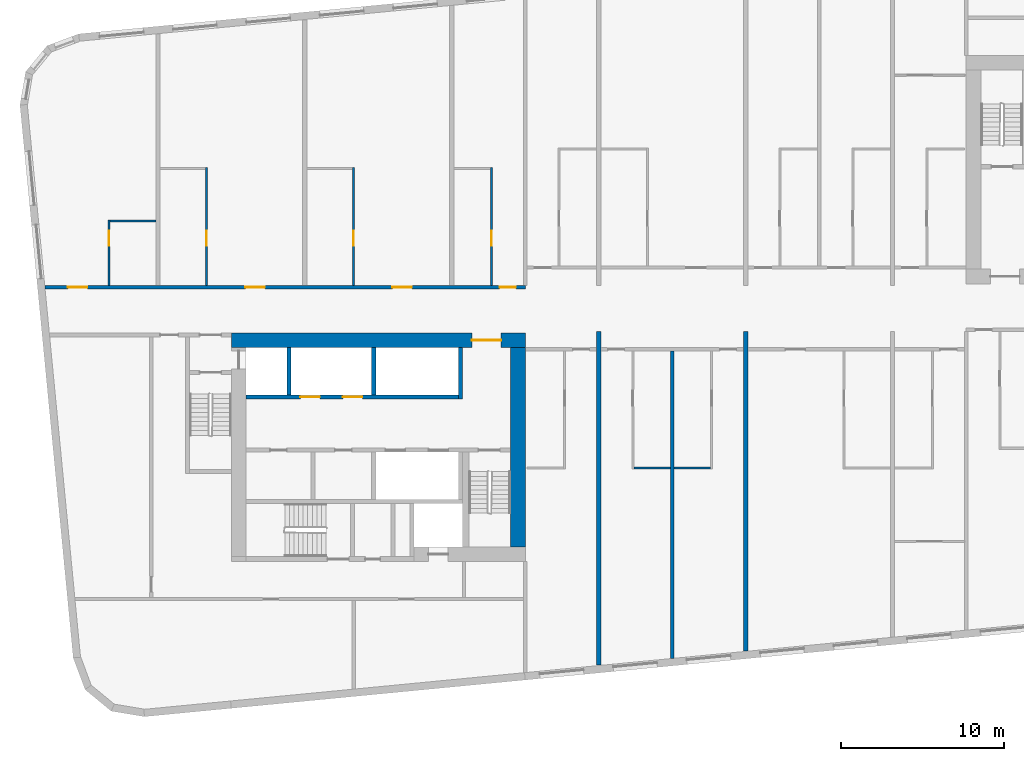
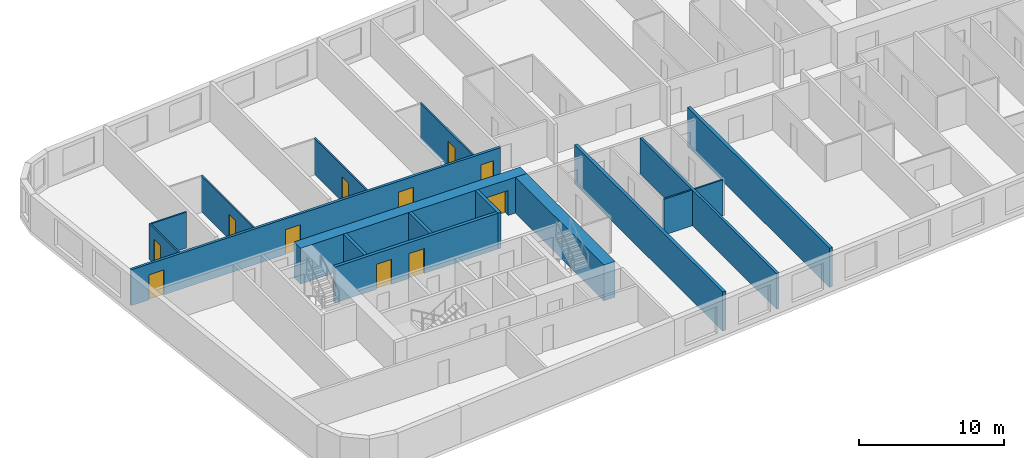
# One storey, part 3 of 12: 17 walls, 11 doors, 11 openings.
"""IFC4 building model written with IfcOpenShell, lengths in metres."""

import ifcopenshell
import ifcopenshell.guid

model = None  # the IFC model being written
_history = None  # IfcOwnerHistory: only IFC2X3 demands one
_inside = {}  # id of a spatial element -> (the spatial element, [elements in it])
_under = {}  # id of a project, library or spatial element -> (it, [spatial elements below it])
_declared = {}  # id of a project -> (the project, [libraries it declares])
_typed = {}  # id of a type object -> (the type object, [elements of that type])
_made_of = {}  # id of a material, layer set ... -> (it, [elements and type objects made of it])


def new_model(schema):
    """Start an empty IFC model of exactly this schema.

    Asked for "IFC4X3", IfcOpenShell would pick the latest addendum, in which some entities
    have other attributes; the version numbers below select the first issue.
    IFC2X3 requires an IfcOwnerHistory on every rooted entity: one is made here for all.
    """
    global model, _history
    if schema == "IFC4X3":
        model = ifcopenshell.file(schema_version=(4, 3, 0, 0))
    else:
        model = ifcopenshell.file(schema=schema)
    _inside.clear()
    _under.clear()
    _declared.clear()
    _typed.clear()
    _made_of.clear()
    _history = None
    if model.schema == "IFC2X3":
        org = make("IfcOrganization", Name="unknown")
        user = make(
            "IfcPersonAndOrganization",
            ThePerson=make("IfcPerson", FamilyName="unknown"),
            TheOrganization=org,
        )
        app = make(
            "IfcApplication",
            ApplicationDeveloper=org,
            Version="unknown",
            ApplicationFullName="unknown",
            ApplicationIdentifier="unknown",
        )
        _history = make(
            "IfcOwnerHistory",
            OwningUser=user,
            OwningApplication=app,
            ChangeAction="ADDED",
            CreationDate=0,
        )
    return model


def make(cls, **values):
    """One entity of the class cls with the attributes given. An attribute that is None is left unset."""
    return model.create_entity(
        cls, **{name: value for name, value in values.items() if value is not None}
    )


def rooted(cls, **values):
    """An entity with a GlobalId (a new one), such as an element, a storey or a relation."""
    return make(cls, GlobalId=ifcopenshell.guid.new(), OwnerHistory=_history, **values)


def si_unit(unit_type, name, prefix=None):
    """IfcSIUnit, for example si_unit("LENGTHUNIT", "METRE", prefix="MILLI")."""
    return make("IfcSIUnit", UnitType=unit_type, Prefix=prefix, Name=name)


def assignment(units):
    """IfcUnitAssignment: the units of a project."""
    return None if units is None else make("IfcUnitAssignment", Units=units)


def point(xyz):
    """IfcCartesianPoint."""
    return None if xyz is None else make("IfcCartesianPoint", Coordinates=xyz)


def direction(xyz):
    """IfcDirection."""
    return None if xyz is None else make("IfcDirection", DirectionRatios=xyz)


def frame(location, z_axis=None, x_axis=None):
    """IfcAxis2Placement3D, a coordinate frame: its origin and axes. An axis left out is left unset."""
    return make(
        "IfcAxis2Placement3D",
        Location=point(location),
        Axis=direction(z_axis),
        RefDirection=direction(x_axis),
    )


def frame_2d(location, x_axis=None):
    """IfcAxis2Placement2D, a coordinate frame in the plane: its origin and x axis."""
    return make(
        "IfcAxis2Placement2D", Location=point(location), RefDirection=direction(x_axis)
    )


def origin():
    """The frame at (0, 0, 0) with its axes left unset."""
    return frame((0.0, 0.0, 0.0))


def place(relative_to, where):
    """IfcLocalPlacement: puts the frame where relative to a parent placement (None: the world)."""
    return make(
        "IfcLocalPlacement", PlacementRelTo=relative_to, RelativePlacement=where
    )


def context(
    kind, dimensions, precision=None, world=None, true_north=None, identifier=None
):
    """IfcGeometricRepresentationContext, for example the 3D "Model" context."""
    return make(
        "IfcGeometricRepresentationContext",
        ContextIdentifier=identifier,
        ContextType=kind,
        CoordinateSpaceDimension=dimensions,
        Precision=precision,
        WorldCoordinateSystem=world,
        TrueNorth=true_north,
    )


def subcontext(parent, identifier, kind, view, scale=None):
    """IfcGeometricRepresentationSubContext, for example "Body" below "Model"."""
    return make(
        "IfcGeometricRepresentationSubContext",
        ContextIdentifier=identifier,
        ContextType=kind,
        ParentContext=parent,
        TargetScale=scale,
        TargetView=view,
    )


def project(units=None, contexts=None):
    """IfcProject with its units and contexts."""
    return rooted(
        "IfcProject",
        Name="project",
        RepresentationContexts=contexts,
        UnitsInContext=assignment(units),
    )


def spatial(cls, under=None, at=None, **own):
    """A site, building, storey or space (cls), placed at a placement, below another one or the project."""
    s = rooted(cls, ObjectPlacement=at, **own)
    if under is not None:
        _under.setdefault(under.id(), (under, []))[1].append(s)
    return s


def profile(cls, at=None, kind="AREA", **sizes):
    """A parametric profile (cls). Its sizes go by their IFC names, for example OverallWidth=200.0."""
    return make(cls, ProfileType=kind, Position=at, **sizes)


def rectangle(**sizes):
    """IfcRectangleProfileDef."""
    return profile("IfcRectangleProfileDef", **sizes)


def extrude(swept, where, along, depth):
    """IfcExtrudedAreaSolid: the profile swept, set in the frame where, extruded along a direction by depth."""
    return make(
        "IfcExtrudedAreaSolid",
        SweptArea=swept,
        Position=where,
        ExtrudedDirection=direction(along),
        Depth=depth,
    )


def shape(context_of_items, identifier, shape_type, items):
    """IfcShapeRepresentation: the items that make up one representation, for example the "Body"."""
    return make(
        "IfcShapeRepresentation",
        ContextOfItems=context_of_items,
        RepresentationIdentifier=identifier,
        RepresentationType=shape_type,
        Items=items,
    )


def material(Name=None, Category=None):
    """IfcMaterial."""
    return make("IfcMaterial", Name=Name, Category=Category)


def layer(
    of_material, thickness, ventilated=None, Name=None, Category=None, Priority=None
):
    """IfcMaterialLayer: one layer of a wall or slab, of a material (None: an air gap)."""
    return make(
        "IfcMaterialLayer",
        Material=of_material,
        LayerThickness=thickness,
        IsVentilated=ventilated,
        Name=Name,
        Category=Category,
        Priority=Priority,
    )


def layer_set(layers, Name=None):
    """IfcMaterialLayerSet."""
    return make("IfcMaterialLayerSet", MaterialLayers=layers, LayerSetName=Name)


def made_of(thing, what):
    """Note that an element or type object is made of a material, layer set ...; save() writes the relation."""
    if what is not None:
        _made_of.setdefault(what.id(), (what, []))[1].append(thing)
    return thing


def type_object(cls, material=None, **own):
    """A type object (cls), such as IfcWallType, which elements share."""
    return made_of(rooted(cls, **own), material)


def element(
    cls,
    number,
    at=None,
    inside=None,
    cuts=None,
    type_object=None,
    material=None,
    context=None,
    identifier="Body",
    shape_type=None,
    held_by="IfcProductDefinitionShape",
    body=None,
    shapes=None,
    **own,
):
    """One element of the class cls, such as IfcWall. Its Tag is "e" and its number.

    at: its placement. inside: the storey or other place that contains it. cuts: it is an
    opening in that element (IfcRelVoidsElement). A single representation is given by context,
    identifier, shape_type and body (its items); several are given by shapes. held_by: the class
    of the entity that holds the representations. save() writes the other relations.
    """
    e = rooted(cls, Tag="e%d" % number, ObjectPlacement=at, **own)
    if body is not None:
        shapes = [shape(context, identifier, shape_type, body)]
    if shapes is not None:
        e.Representation = make(held_by, Representations=shapes)
    if inside is not None:
        _inside.setdefault(inside.id(), (inside, []))[1].append(e)
    if cuts is not None:
        rooted(
            "IfcRelVoidsElement", RelatingBuildingElement=cuts, RelatedOpeningElement=e
        )
    if type_object is not None:
        _typed.setdefault(type_object.id(), (type_object, []))[1].append(e)
    return made_of(e, material)


def fill(opening, filler):
    """IfcRelFillsElement: the door or window that sits in an opening."""
    return rooted(
        "IfcRelFillsElement",
        RelatingOpeningElement=opening,
        RelatedBuildingElement=filler,
    )


def aggregate(whole, parts):
    """IfcRelAggregates: a whole, such as a stair, and the parts it consists of."""
    return rooted("IfcRelAggregates", RelatingObject=whole, RelatedObjects=parts)


def save(model, path):
    """Write the relations noted so far, then the file.

    IfcRelAggregates (storeys below a building ...), IfcRelContainedInSpatialStructure (elements
    in a storey), IfcRelDefinesByType, IfcRelAssociatesMaterial and IfcRelDeclares: one each for
    every whole, place, type object, material and project.
    """
    for whole, parts in _under.values():
        aggregate(whole, parts)
    for where, things in _inside.values():
        rooted(
            "IfcRelContainedInSpatialStructure",
            RelatedElements=things,
            RelatingStructure=where,
        )
    for kind, things in _typed.values():
        rooted("IfcRelDefinesByType", RelatedObjects=things, RelatingType=kind)
    for what, things in _made_of.values():
        rooted("IfcRelAssociatesMaterial", RelatedObjects=things, RelatingMaterial=what)
    for by, libraries in _declared.values():
        rooted("IfcRelDeclares", RelatingContext=by, RelatedDefinitions=libraries)
    model.write(path)


model = new_model("IFC4")

# Units and contexts
model_context = context("Model", 3, precision=1e-05, world=origin(), true_north=direction((0.0, 1.0)))
body_context = subcontext(model_context, "Body", "Model", "MODEL_VIEW")
ifc_project = project(units=[si_unit("LENGTHUNIT", "METRE"), si_unit("AREAUNIT", "SQUARE_METRE"), si_unit("VOLUMEUNIT", "CUBIC_METRE"), si_unit("PLANEANGLEUNIT", "RADIAN"), si_unit("MASSUNIT", "GRAM", prefix="KILO")], contexts=[model_context])

# Site, building, storey
site_placement = place(None, origin())
site = spatial("IfcSite", under=ifc_project, at=site_placement, CompositionType="ELEMENT")
building_placement = place(site_placement, origin())
building = spatial("IfcBuilding", under=site, at=building_placement, Name="Kajstack Hotel Tower", CompositionType="ELEMENT")
storey_placement = place(building_placement, frame((0.0, 0.0, 193.300048828125)))
storey = spatial("IfcBuildingStorey", under=building, at=storey_placement, Name="L46", CompositionType="ELEMENT", Elevation=193.300048828125)

# Wall, opening, door
ifc_material_1 = material(Name="Concrete C60/75", Category="concrete")
ifc_layer_1 = layer(ifc_material_1, 0.89990234375)
ifc_layer_set_1 = layer_set([ifc_layer_1], Name="Core wall 900")
wall_type_1 = type_object("IfcWallType", Name="Core wall 900", PredefinedType="SHEAR", material=ifc_layer_set_1)
wall_1_placement = place(storey_placement, frame((-31.5, -1.949951171875, 0.0), z_axis=(0.0, 0.0, 1.0), x_axis=(1.0, 0.0, 0.0)))
wall_1 = element("IfcWall", 1, at=wall_1_placement, inside=storey, type_object=wall_type_1, Name="Core wall W RN", PredefinedType="SHEAR", context=body_context, shape_type="SweptSolid", body=[
    extrude(rectangle(XDim=18.0, YDim=0.89990234375, at=frame_2d((9.0, 0.0))), origin(), (0.0, 0.0, 1.0), 3.02001953125),
])
opening_1_placement = place(wall_1_placement, frame((14.72509765625, 0.0, 0.0)))
opening_1 = element("IfcOpeningElement", 2, at=opening_1_placement, cuts=wall_1, Name="Opening 46W07", PredefinedType="OPENING", context=body_context, shape_type="SweptSolid", body=[
    extrude(rectangle(XDim=1.800048828125, YDim=2.10009765625, at=frame_2d((0.89990234375, 1.050048828125))), frame((0.0, 0.4599609375, 0.0), z_axis=(0.0, -1.0, 0.0), x_axis=(1.0, 0.0, 0.0)), (0.0, 0.0, 1.0), 0.919921875),
])
ifc_material_2 = material(Name="Glazed steel frame, fire-rated glass", Category="steel")
door_type_1 = type_object("IfcDoorType", Name="Lobby double door 1800", OperationType="DOUBLE_DOOR_DOUBLE_SWING", PredefinedType="DOOR", material=ifc_material_2)
door_1_placement = place(opening_1_placement, origin())
door_1 = element("IfcDoor", 3, at=door_1_placement, inside=storey, type_object=door_type_1, Name="Door 46W07", OperationType="DOUBLE_DOOR_DOUBLE_SWING", OverallHeight=2.10009765625, OverallWidth=1.800048828125, PredefinedType="DOOR", context=body_context, shape_type="SweptSolid", body=[
    extrude(rectangle(XDim=1.800048828125, YDim=2.10009765625, at=frame_2d((0.89990234375, 1.050048828125))), frame((0.0, 0.02490234375, 0.0), z_axis=(0.0, -1.0, 0.0), x_axis=(1.0, 0.0, 0.0)), (0.0, 0.0, 1.0), 0.050048828125),
])
fill(opening_1, door_1)

# Wall
wall_2_placement = place(storey_placement, frame((-13.949951171875, -14.60009765625, 0.0), z_axis=(0.0, 0.0, 1.0), x_axis=(0.0, 1.0, 0.0)))
element("IfcWall", 4, at=wall_2_placement, inside=storey, type_object=wall_type_1, Name="Core wall W RE", PredefinedType="SHEAR", context=body_context, shape_type="SweptSolid", body=[
    extrude(rectangle(XDim=12.2001953125, YDim=0.89990234375, at=frame_2d((6.10009765625, 0.0))), origin(), (0.0, 0.0, 1.0), 3.02001953125),
])

# Wall, openings, doors
ifc_material_3 = material(Name="Gypsum board on steel studs, mineral wool", Category="steel")
ifc_layer_2 = layer(ifc_material_3, 0.199951171875)
ifc_layer_set_2 = layer_set([ifc_layer_2], Name="Corridor wall 200")
wall_type_2 = type_object("IfcWallType", Name="Corridor wall 200", PredefinedType="PARTITIONING", material=ifc_layer_set_2)
wall_3_placement = place(storey_placement, frame((-42.9130859375, 1.300048828125, 0.0), z_axis=(0.0, 0.0, 1.0), x_axis=(1.0, 0.0, 0.0)))
wall_3 = element("IfcWall", 5, at=wall_3_placement, inside=storey, type_object=wall_type_2, Name="G-wall-L46-003", PredefinedType="PARTITIONING", context=body_context, shape_type="SweptSolid", body=[
    extrude(rectangle(XDim=29.4130859375, YDim=0.199951171875, at=frame_2d((14.70654296875, 0.0))), origin(), (0.0, 0.0, 1.0), 3.02001953125),
])
opening_2_placement = place(wall_3_placement, frame((1.406005859375, 0.0, 0.0)))
opening_2 = element("IfcOpeningElement", 6, at=opening_2_placement, cuts=wall_3, Name="Opening 46001", PredefinedType="OPENING", context=body_context, shape_type="SweptSolid", body=[
    extrude(rectangle(XDim=1.199951171875, YDim=2.10009765625, at=frame_2d((0.60009765625, 1.050048828125))), frame((0.0, 0.10986328125, 0.0), z_axis=(0.0, -1.0, 0.0), x_axis=(1.0, 0.0, 0.0)), (0.0, 0.0, 1.0), 0.219970703125),
])
opening_3_placement = place(wall_3_placement, frame((12.27490234375, 0.0, 0.0)))
opening_3 = element("IfcOpeningElement", 7, at=opening_3_placement, cuts=wall_3, Name="Opening 46003", PredefinedType="OPENING", context=body_context, shape_type="SweptSolid", body=[
    extrude(rectangle(XDim=1.199951171875, YDim=2.10009765625, at=frame_2d((0.60009765625, 1.050048828125))), frame((0.0, 0.10986328125, 0.0), z_axis=(0.0, -1.0, 0.0), x_axis=(1.0, 0.0, 0.0)), (0.0, 0.0, 1.0), 0.219970703125),
])
opening_4_placement = place(wall_3_placement, frame((21.27490234375, 0.0, 0.0)))
opening_4 = element("IfcOpeningElement", 8, at=opening_4_placement, cuts=wall_3, Name="Opening 46005", PredefinedType="OPENING", context=body_context, shape_type="SweptSolid", body=[
    extrude(rectangle(XDim=1.199951171875, YDim=2.10009765625, at=frame_2d((0.60009765625, 1.050048828125))), frame((0.0, 0.10986328125, 0.0), z_axis=(0.0, -1.0, 0.0), x_axis=(1.0, 0.0, 0.0)), (0.0, 0.0, 1.0), 0.219970703125),
])
opening_5_placement = place(wall_3_placement, frame((27.837890625, 0.0, 0.0)))
opening_5 = element("IfcOpeningElement", 9, at=opening_5_placement, cuts=wall_3, Name="Opening 46007", PredefinedType="OPENING", context=body_context, shape_type="SweptSolid", body=[
    extrude(rectangle(XDim=1.0, YDim=2.10009765625, at=frame_2d((0.5, 1.050048828125))), frame((0.0, 0.10986328125, 0.0), z_axis=(0.0, -1.0, 0.0), x_axis=(1.0, 0.0, 0.0)), (0.0, 0.0, 1.0), 0.219970703125),
])
ifc_material_4 = material(Name="Oak veneer on timber core, fire-rated leaf", Category="wood")
door_type_2 = type_object("IfcDoorType", Name="Flat entrance door 1000", OperationType="SINGLE_SWING_LEFT", PredefinedType="DOOR", material=ifc_material_4)
door_2_placement = place(opening_5_placement, origin())
door_2 = element("IfcDoor", 10, at=door_2_placement, inside=storey, type_object=door_type_2, Name="G-door-L46-07", OperationType="SINGLE_SWING_RIGHT", OverallHeight=2.10009765625, OverallWidth=1.0, PredefinedType="DOOR", context=body_context, shape_type="SweptSolid", body=[
    extrude(rectangle(XDim=1.0, YDim=2.10009765625, at=frame_2d((0.5, 1.050048828125))), frame((0.0, 0.02490234375, 0.0), z_axis=(0.0, -1.0, 0.0), x_axis=(1.0, 0.0, 0.0)), (0.0, 0.0, 1.0), 0.050048828125),
])
fill(opening_5, door_2)
door_type_3 = type_object("IfcDoorType", Name="Flat entrance door 1200", OperationType="SINGLE_SWING_LEFT", PredefinedType="DOOR", material=ifc_material_4)
door_3_placement = place(opening_2_placement, origin())
door_3 = element("IfcDoor", 11, at=door_3_placement, inside=storey, type_object=door_type_3, Name="G-door-L46-01", OperationType="SINGLE_SWING_LEFT", OverallHeight=2.10009765625, OverallWidth=1.199951171875, PredefinedType="DOOR", context=body_context, shape_type="SweptSolid", body=[
    extrude(rectangle(XDim=1.199951171875, YDim=2.10009765625, at=frame_2d((0.60009765625, 1.050048828125))), frame((0.0, 0.02490234375, 0.0), z_axis=(0.0, -1.0, 0.0), x_axis=(1.0, 0.0, 0.0)), (0.0, 0.0, 1.0), 0.050048828125),
])
fill(opening_2, door_3)
door_4_placement = place(opening_3_placement, origin())
door_4 = element("IfcDoor", 12, at=door_4_placement, inside=storey, type_object=door_type_3, Name="G-door-L46-03", OperationType="SINGLE_SWING_LEFT", OverallHeight=2.10009765625, OverallWidth=1.199951171875, PredefinedType="DOOR", context=body_context, shape_type="SweptSolid", body=[
    extrude(rectangle(XDim=1.199951171875, YDim=2.10009765625, at=frame_2d((0.60009765625, 1.050048828125))), frame((0.0, 0.02490234375, 0.0), z_axis=(0.0, -1.0, 0.0), x_axis=(1.0, 0.0, 0.0)), (0.0, 0.0, 1.0), 0.050048828125),
])
fill(opening_3, door_4)
door_5_placement = place(opening_4_placement, origin())
door_5 = element("IfcDoor", 13, at=door_5_placement, inside=storey, type_object=door_type_3, Name="G-door-L46-05", OperationType="SINGLE_SWING_LEFT", OverallHeight=2.10009765625, OverallWidth=1.199951171875, PredefinedType="DOOR", context=body_context, shape_type="SweptSolid", body=[
    extrude(rectangle(XDim=1.199951171875, YDim=2.10009765625, at=frame_2d((0.60009765625, 1.050048828125))), frame((0.0, 0.02490234375, 0.0), z_axis=(0.0, -1.0, 0.0), x_axis=(1.0, 0.0, 0.0)), (0.0, 0.0, 1.0), 0.050048828125),
])
fill(opening_4, door_5)

# Wall
ifc_material_5 = material(Name="Twin-frame gypsum board on steel studs, mineral wool", Category="steel")
ifc_layer_3 = layer(ifc_material_5, 0.199951171875)
ifc_layer_set_3 = layer_set([ifc_layer_3], Name="Demising wall 200")
wall_type_3 = type_object("IfcWallType", Name="Demising wall 200", PredefinedType="PARTITIONING", material=ifc_layer_set_3)
wall_4_placement = place(storey_placement, frame((-4.5, -21.43408203125, 0.0), z_axis=(0.0, 0.0, 1.0), x_axis=(0.0, 1.0, 0.0)))
element("IfcWall", 14, at=wall_4_placement, inside=storey, type_object=wall_type_3, Name="G-wall-L46-030", PredefinedType="PARTITIONING", context=body_context, shape_type="SweptSolid", body=[
    extrude(rectangle(XDim=18.833984375, YDim=0.199951171875, at=frame_2d((9.4169921875, 0.0))), origin(), (0.0, 0.0, 1.0), 3.02001953125),
])

# Wall, opening, door
ifc_material_6 = material(Name="Gypsum board and tiled backer on steel studs", Category="steel")
ifc_layer_4 = layer(ifc_material_6, 0.125)
ifc_layer_set_4 = layer_set([ifc_layer_4], Name="En-suite wall 125")
wall_type_4 = type_object("IfcWallType", Name="En-suite wall 125", PredefinedType="PARTITIONING", material=ifc_layer_set_4)
wall_5_placement = place(storey_placement, frame((-38.987060546875, 1.39990234375, 0.0), z_axis=(0.0, 0.0, 1.0), x_axis=(0.0, 1.0, 0.0)))
wall_5 = element("IfcWall", 15, at=wall_5_placement, inside=storey, type_object=wall_type_4, Name="G-wall-L46-005", PredefinedType="PARTITIONING", context=body_context, shape_type="SweptSolid", body=[
    extrude(rectangle(XDim=4.028076171875, YDim=0.125, at=frame_2d((2.01416015625, 0.0))), origin(), (0.0, 0.0, 1.0), 3.02001953125),
])
opening_6_placement = place(wall_5_placement, frame((2.449951171875, 0.0, 0.0)))
opening_6 = element("IfcOpeningElement", 16, at=opening_6_placement, cuts=wall_5, Name="Opening 46002", PredefinedType="OPENING", context=body_context, shape_type="SweptSolid", body=[
    extrude(rectangle(XDim=0.89990234375, YDim=2.10009765625, at=frame_2d((0.449951171875, 1.050048828125))), frame((0.0, 0.072509765625, 0.0), z_axis=(0.0, -1.0, 0.0), x_axis=(1.0, 0.0, 0.0)), (0.0, 0.0, 1.0), 0.14501953125),
])
ifc_material_7 = material(Name="Painted timber door leaf", Category="wood")
door_type_4 = type_object("IfcDoorType", Name="Room door 900", OperationType="SINGLE_SWING_LEFT", PredefinedType="DOOR", material=ifc_material_7)
door_6_placement = place(opening_6_placement, origin())
door_6 = element("IfcDoor", 17, at=door_6_placement, inside=storey, type_object=door_type_4, Name="G-door-L46-02", OperationType="SINGLE_SWING_RIGHT", OverallHeight=2.10009765625, OverallWidth=0.89990234375, PredefinedType="DOOR", context=body_context, shape_type="SweptSolid", body=[
    extrude(rectangle(XDim=0.89990234375, YDim=2.10009765625, at=frame_2d((0.449951171875, 1.050048828125))), frame((0.0, 0.02490234375, 0.0), z_axis=(0.0, -1.0, 0.0), x_axis=(1.0, 0.0, 0.0)), (0.0, 0.0, 1.0), 0.050048828125),
])
fill(opening_6, door_6)

# Wall
wall_6_placement = place(storey_placement, frame((-38.925048828125, 5.365966796875, 0.0), z_axis=(0.0, 0.0, 1.0), x_axis=(1.0, 0.0, 0.0)))
element("IfcWall", 18, at=wall_6_placement, inside=storey, type_object=wall_type_4, Name="G-wall-L46-006", PredefinedType="PARTITIONING", context=body_context, shape_type="SweptSolid", body=[
    extrude(rectangle(XDim=2.800048828125, YDim=0.125, at=frame_2d((1.39990234375, 0.0))), origin(), (0.0, 0.0, 1.0), 3.02001953125),
])

# Wall, opening, door
wall_7_placement = place(storey_placement, frame((-33.012939453125, 1.39990234375, 0.0), z_axis=(0.0, 0.0, 1.0), x_axis=(0.0, 1.0, 0.0)))
wall_7 = element("IfcWall", 19, at=wall_7_placement, inside=storey, type_object=wall_type_4, Name="G-wall-L46-007", PredefinedType="PARTITIONING", context=body_context, shape_type="SweptSolid", body=[
    extrude(rectangle(XDim=7.22509765625, YDim=0.125, at=frame_2d((3.612548828125, 0.0))), origin(), (0.0, 0.0, 1.0), 3.02001953125),
])
opening_7_placement = place(wall_7_placement, frame((2.449951171875, 0.0, 0.0)))
opening_7 = element("IfcOpeningElement", 20, at=opening_7_placement, cuts=wall_7, Name="Opening 46004", PredefinedType="OPENING", context=body_context, shape_type="SweptSolid", body=[
    extrude(rectangle(XDim=0.89990234375, YDim=2.10009765625, at=frame_2d((0.449951171875, 1.050048828125))), frame((0.0, 0.072509765625, 0.0), z_axis=(0.0, -1.0, 0.0), x_axis=(1.0, 0.0, 0.0)), (0.0, 0.0, 1.0), 0.14501953125),
])
door_7_placement = place(opening_7_placement, origin())
door_7 = element("IfcDoor", 21, at=door_7_placement, inside=storey, type_object=door_type_4, Name="G-door-L46-04", OperationType="SINGLE_SWING_RIGHT", OverallHeight=2.10009765625, OverallWidth=0.89990234375, PredefinedType="DOOR", context=body_context, shape_type="SweptSolid", body=[
    extrude(rectangle(XDim=0.89990234375, YDim=2.10009765625, at=frame_2d((0.449951171875, 1.050048828125))), frame((0.0, 0.02490234375, 0.0), z_axis=(0.0, -1.0, 0.0), x_axis=(1.0, 0.0, 0.0)), (0.0, 0.0, 1.0), 0.050048828125),
])
fill(opening_7, door_7)

wall_8_placement = place(storey_placement, frame((-24.011962890625, 1.39990234375, 0.0), z_axis=(0.0, 0.0, 1.0), x_axis=(0.0, 1.0, 0.0)))
wall_8 = element("IfcWall", 22, at=wall_8_placement, inside=storey, type_object=wall_type_4, Name="G-wall-L46-009", PredefinedType="PARTITIONING", context=body_context, shape_type="SweptSolid", body=[
    extrude(rectangle(XDim=7.22509765625, YDim=0.125, at=frame_2d((3.612548828125, 0.0))), origin(), (0.0, 0.0, 1.0), 3.02001953125),
])
opening_8_placement = place(wall_8_placement, frame((2.449951171875, 0.0, 0.0)))
opening_8 = element("IfcOpeningElement", 23, at=opening_8_placement, cuts=wall_8, Name="Opening 46006", PredefinedType="OPENING", context=body_context, shape_type="SweptSolid", body=[
    extrude(rectangle(XDim=0.89990234375, YDim=2.10009765625, at=frame_2d((0.449951171875, 1.050048828125))), frame((0.0, 0.072509765625, 0.0), z_axis=(0.0, -1.0, 0.0), x_axis=(1.0, 0.0, 0.0)), (0.0, 0.0, 1.0), 0.14501953125),
])
door_8_placement = place(opening_8_placement, origin())
door_8 = element("IfcDoor", 24, at=door_8_placement, inside=storey, type_object=door_type_4, Name="G-door-L46-06", OperationType="SINGLE_SWING_LEFT", OverallHeight=2.10009765625, OverallWidth=0.89990234375, PredefinedType="DOOR", context=body_context, shape_type="SweptSolid", body=[
    extrude(rectangle(XDim=0.89990234375, YDim=2.10009765625, at=frame_2d((0.449951171875, 1.050048828125))), frame((0.0, 0.02490234375, 0.0), z_axis=(0.0, -1.0, 0.0), x_axis=(1.0, 0.0, 0.0)), (0.0, 0.0, 1.0), 0.050048828125),
])
fill(opening_8, door_8)

wall_9_placement = place(storey_placement, frame((-15.56201171875, 1.39990234375, 0.0), z_axis=(0.0, 0.0, 1.0), x_axis=(0.0, 1.0, 0.0)))
wall_9 = element("IfcWall", 25, at=wall_9_placement, inside=storey, type_object=wall_type_4, Name="G-wall-L46-012", PredefinedType="PARTITIONING", context=body_context, shape_type="SweptSolid", body=[
    extrude(rectangle(XDim=7.22509765625, YDim=0.125, at=frame_2d((3.612548828125, 0.0))), origin(), (0.0, 0.0, 1.0), 3.02001953125),
])
opening_9_placement = place(wall_9_placement, frame((2.449951171875, 0.0, 0.0)))
opening_9 = element("IfcOpeningElement", 26, at=opening_9_placement, cuts=wall_9, Name="Opening 46008", PredefinedType="OPENING", context=body_context, shape_type="SweptSolid", body=[
    extrude(rectangle(XDim=0.89990234375, YDim=2.10009765625, at=frame_2d((0.449951171875, 1.050048828125))), frame((0.0, 0.072509765625, 0.0), z_axis=(0.0, -1.0, 0.0), x_axis=(1.0, 0.0, 0.0)), (0.0, 0.0, 1.0), 0.14501953125),
])
door_9_placement = place(opening_9_placement, origin())
door_9 = element("IfcDoor", 27, at=door_9_placement, inside=storey, type_object=door_type_4, Name="G-door-L46-08", OperationType="SINGLE_SWING_RIGHT", OverallHeight=2.10009765625, OverallWidth=0.89990234375, PredefinedType="DOOR", context=body_context, shape_type="SweptSolid", body=[
    extrude(rectangle(XDim=0.89990234375, YDim=2.10009765625, at=frame_2d((0.449951171875, 1.050048828125))), frame((0.0, 0.02490234375, 0.0), z_axis=(0.0, -1.0, 0.0), x_axis=(1.0, 0.0, 0.0)), (0.0, 0.0, 1.0), 0.050048828125),
])
fill(opening_9, door_9)

# Walls
for number, where, z_axis, x_axis, name in (
    (28, (-6.85009765625, -9.761962890625, 0.0), (0.0, 0.0, 1.0), (1.0, 0.0, 0.0), "G-wall-L46-032"),
    (29, (-4.39990234375, -9.761962890625, 0.0), (0.0, 0.0, 1.0), (1.0, 0.0, 0.0), "G-wall-L46-034"),
):
    element("IfcWall", number, at=place(storey_placement, frame(where, z_axis=z_axis, x_axis=x_axis)), inside=storey, type_object=wall_type_4, Name=name, PredefinedType="PARTITIONING", context=body_context, shape_type="SweptSolid", body=[
        extrude(rectangle(XDim=2.25, YDim=0.125, at=frame_2d((1.125, 0.0))), origin(), (0.0, 0.0, 1.0), 3.02001953125),
    ])
ifc_material_8 = material(Name="Concrete C50/60", Category="concrete")
ifc_layer_5 = layer(ifc_material_8, 0.300048828125)
ifc_layer_set_5 = layer_set([ifc_layer_5], Name="Hoistway divider wall 300")
wall_type_5 = type_object("IfcWallType", Name="Hoistway divider wall 300", PredefinedType="SHEAR", material=ifc_layer_set_5)
wall_10_placement = place(storey_placement, frame((-22.77490234375, -5.300048828125, 0.0), z_axis=(0.0, 0.0, 1.0), x_axis=(0.0, 1.0, 0.0)))
element("IfcWall", 30, at=wall_10_placement, inside=storey, type_object=wall_type_5, Name="Core wall W AP2", PredefinedType="SHEAR", context=body_context, shape_type="SweptSolid", body=[
    extrude(rectangle(XDim=2.900146484375, YDim=0.25, at=frame_2d((1.4501953125, 0.0))), origin(), (0.0, 0.0, 1.0), 3.02001953125),
])
ifc_layer_6 = layer(ifc_material_8, 0.25)
ifc_layer_set_6 = layer_set([ifc_layer_6], Name="RC cross wall 250 C50/60")
wall_type_6 = type_object("IfcWallType", Name="RC cross wall 250 C50/60", PredefinedType="SHEAR", material=ifc_layer_set_6)
wall_11_placement = place(storey_placement, frame((-9.0, -21.84521484375, 0.0), z_axis=(0.0, 0.0, 1.0), x_axis=(0.0, 1.0, 0.0)))
element("IfcWall", 31, at=wall_11_placement, inside=storey, type_object=wall_type_6, Name="S-wall-L46-04", PredefinedType="SHEAR", context=body_context, shape_type="SweptSolid", body=[
    extrude(rectangle(XDim=20.4453125, YDim=0.25, at=frame_2d((10.22265625, 0.0))), origin(), (0.0, 0.0, 1.0), 3.300048828125),
])
wall_12_placement = place(storey_placement, frame((0.0, -20.978515625, 0.0), z_axis=(0.0, 0.0, 1.0), x_axis=(0.0, 1.0, 0.0)))
element("IfcWall", 32, at=wall_12_placement, inside=storey, type_object=wall_type_6, Name="S-wall-L46-06", PredefinedType="SHEAR", context=body_context, shape_type="SweptSolid", body=[
    extrude(rectangle(XDim=19.57861328125, YDim=0.25, at=frame_2d((9.789306640625, 0.0))), origin(), (0.0, 0.0, 1.0), 3.300048828125),
])

# Wall, openings, doors
ifc_layer_7 = layer(ifc_material_8, 0.25)
ifc_layer_set_7 = layer_set([ifc_layer_7], Name="Shaft wall 250")
wall_type_7 = type_object("IfcWallType", Name="Shaft wall 250", PredefinedType="SHEAR", material=ifc_layer_set_7)
wall_13_placement = place(storey_placement, frame((-30.60009765625, -5.425048828125, 0.0), z_axis=(0.0, 0.0, 1.0), x_axis=(1.0, 0.0, 0.0)))
wall_13 = element("IfcWall", 33, at=wall_13_placement, inside=storey, type_object=wall_type_7, Name="Core wall W FA", PredefinedType="SHEAR", context=body_context, shape_type="SweptSolid", body=[
    extrude(rectangle(XDim=13.0, YDim=0.25, at=frame_2d((6.5, 0.0))), origin(), (0.0, 0.0, 1.0), 3.02001953125),
])
opening_10_placement = place(wall_13_placement, frame((3.324951171875, 0.0, 0.0)))
opening_10 = element("IfcOpeningElement", 34, at=opening_10_placement, cuts=wall_13, Name="Opening LD-MR3", PredefinedType="OPENING", context=body_context, shape_type="SweptSolid", body=[
    extrude(rectangle(XDim=1.199951171875, YDim=2.10009765625, at=frame_2d((0.60009765625, 1.050048828125))), frame((0.0, 0.135009765625, 0.0), z_axis=(0.0, -1.0, 0.0), x_axis=(1.0, 0.0, 0.0)), (0.0, 0.0, 1.0), 0.27001953125),
])
opening_11_placement = place(wall_13_placement, frame((5.925048828125, 0.0, 0.0)))
opening_11 = element("IfcOpeningElement", 35, at=opening_11_placement, cuts=wall_13, Name="Opening LD-MR4", PredefinedType="OPENING", context=body_context, shape_type="SweptSolid", body=[
    extrude(rectangle(XDim=1.199951171875, YDim=2.10009765625, at=frame_2d((0.60009765625, 1.050048828125))), frame((0.0, 0.135009765625, 0.0), z_axis=(0.0, -1.0, 0.0), x_axis=(1.0, 0.0, 0.0)), (0.0, 0.0, 1.0), 0.27001953125),
])
ifc_material_9 = material(Name="Stainless steel", Category="steel")
door_type_5 = type_object("IfcDoorType", Name="Lift landing door 1200", OperationType="SLIDING_TO_LEFT", PredefinedType="DOOR", material=ifc_material_9)
door_10_placement = place(opening_10_placement, origin())
door_10 = element("IfcDoor", 36, at=door_10_placement, inside=storey, type_object=door_type_5, Name="Landing door MR3", OperationType="SLIDING_TO_RIGHT", OverallHeight=2.10009765625, OverallWidth=1.199951171875, PredefinedType="DOOR", context=body_context, shape_type="SweptSolid", body=[
    extrude(rectangle(XDim=1.199951171875, YDim=2.10009765625, at=frame_2d((0.60009765625, 1.050048828125))), frame((0.0, 0.02490234375, 0.0), z_axis=(0.0, -1.0, 0.0), x_axis=(1.0, 0.0, 0.0)), (0.0, 0.0, 1.0), 0.050048828125),
])
fill(opening_10, door_10)
door_11_placement = place(opening_11_placement, origin())
door_11 = element("IfcDoor", 37, at=door_11_placement, inside=storey, type_object=door_type_5, Name="Landing door MR4", OperationType="SLIDING_TO_RIGHT", OverallHeight=2.10009765625, OverallWidth=1.199951171875, PredefinedType="DOOR", context=body_context, shape_type="SweptSolid", body=[
    extrude(rectangle(XDim=1.199951171875, YDim=2.10009765625, at=frame_2d((0.60009765625, 1.050048828125))), frame((0.0, 0.02490234375, 0.0), z_axis=(0.0, -1.0, 0.0), x_axis=(1.0, 0.0, 0.0)), (0.0, 0.0, 1.0), 0.050048828125),
])
fill(opening_11, door_11)

# Walls
wall_14_placement = place(storey_placement, frame((-17.47509765625, -5.550048828125, 0.0), z_axis=(0.0, 0.0, 1.0), x_axis=(0.0, 1.0, 0.0)))
element("IfcWall", 38, at=wall_14_placement, inside=storey, type_object=wall_type_7, Name="Core wall W AE", PredefinedType="SHEAR", context=body_context, shape_type="SweptSolid", body=[
    extrude(rectangle(XDim=3.150146484375, YDim=0.25, at=frame_2d((1.5751953125, 0.0))), origin(), (0.0, 0.0, 1.0), 3.02001953125),
])
wall_15_placement = place(storey_placement, frame((-27.97509765625, -5.300048828125, 0.0), z_axis=(0.0, 0.0, 1.0), x_axis=(0.0, 1.0, 0.0)))
element("IfcWall", 39, at=wall_15_placement, inside=storey, type_object=wall_type_7, Name="Core wall W AP0", PredefinedType="SHEAR", context=body_context, shape_type="SweptSolid", body=[
    extrude(rectangle(XDim=2.900146484375, YDim=0.25, at=frame_2d((1.4501953125, 0.0))), origin(), (0.0, 0.0, 1.0), 3.02001953125),
])

save(model, "model.ifc")
